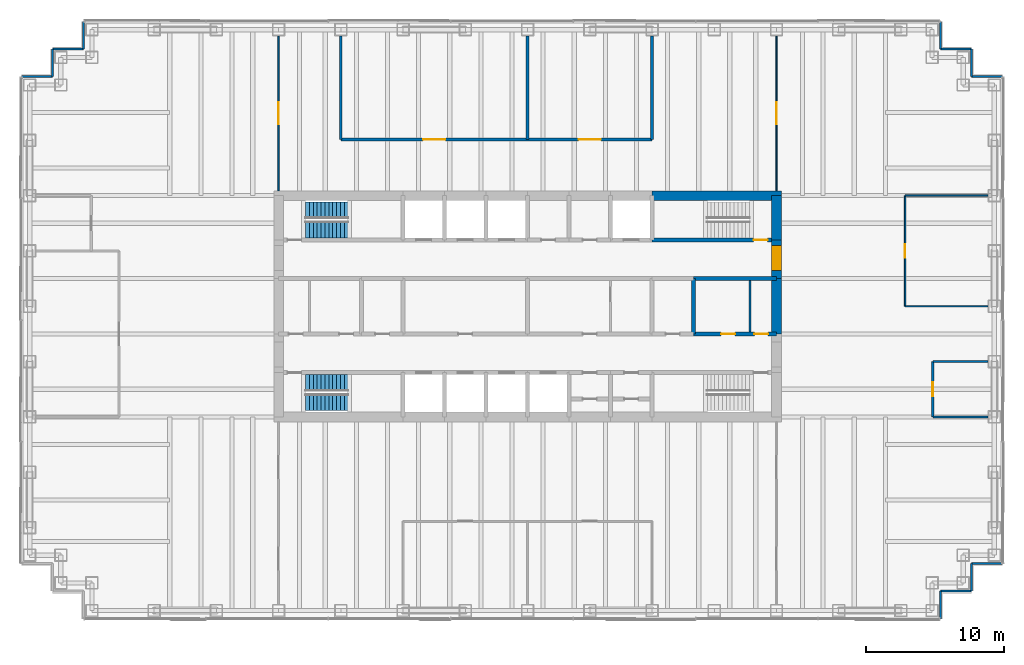
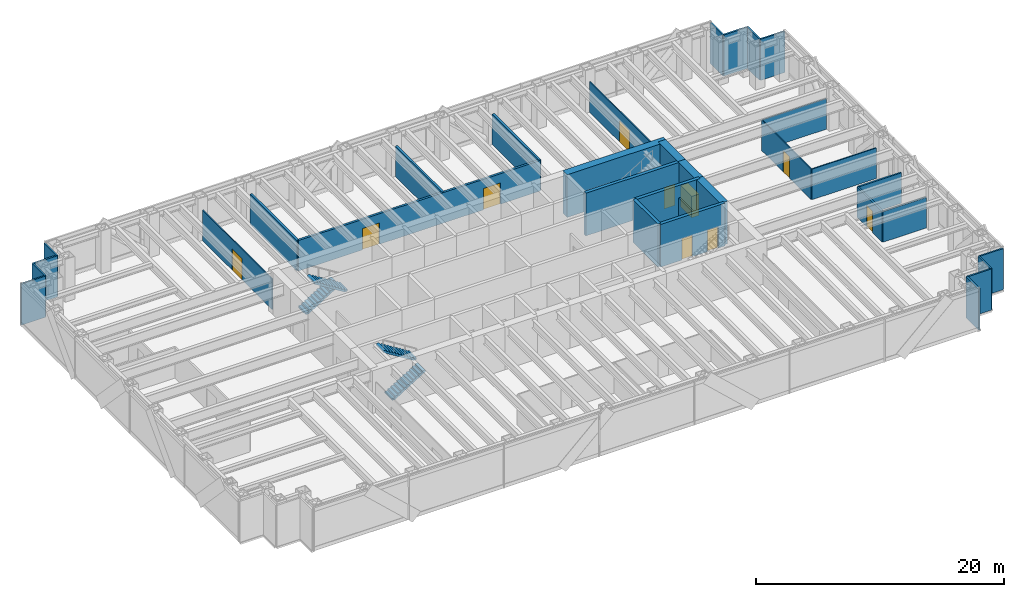
# One storey, part 13 of 15: 33 walls, 10 doors, 4 stair flights, 10 openings, 2 elements without a shape of their own.
"""IFC4 building model written with IfcOpenShell, lengths in metres."""

from ifc_helpers import new_model, si_unit, direction, frame, frame_2d, origin, place, context, subcontext, project, spatial, polyline, rectangle, outline, extrude, material, layer, layer_set, type_object, element, fill, aggregate, save


model = new_model("IFC4")

# Units and contexts
model_context = context("Model", 3, precision=1e-05, world=origin(), true_north=direction((0.0, 1.0)))
body_context = subcontext(model_context, "Body", "Model", "MODEL_VIEW")
ifc_project = project(units=[si_unit("LENGTHUNIT", "METRE"), si_unit("AREAUNIT", "SQUARE_METRE"), si_unit("VOLUMEUNIT", "CUBIC_METRE"), si_unit("PLANEANGLEUNIT", "RADIAN"), si_unit("MASSUNIT", "GRAM", prefix="KILO")], contexts=[model_context])

# Site, building, storey
site_placement = place(None, origin())
site = spatial("IfcSite", under=ifc_project, at=site_placement, CompositionType="ELEMENT")
building_placement = place(site_placement, origin())
building = spatial("IfcBuilding", under=site, at=building_placement, Name="Rheinbord Bourse Tower", CompositionType="ELEMENT")
storey_placement = place(building_placement, frame((0.0, 0.0, 325.699951171875)))
storey = spatial("IfcBuildingStorey", under=building, at=storey_placement, Name="L74", CompositionType="ELEMENT", Elevation=325.699951171875)

# Wall, openings, doors
ifc_material_1 = material(Name="Acoustic gypsum board partition", Category="gypsum board")
ifc_layer_1 = layer(ifc_material_1, 0.199951171875)
ifc_layer_set_1 = layer_set([ifc_layer_1], Name="ACOUSTIC PARTITION 200")
wall_type_1 = type_object("IfcWallType", Name="ACOUSTIC PARTITION 200", PredefinedType="PARTITIONING", material=ifc_layer_set_1)
wall_1_placement = place(storey_placement, frame((22.5, 36.050048828125, 0.0), z_axis=(0.0, 0.0, 1.0), x_axis=(1.0, 0.0, 0.0)))
wall_1 = element("IfcWall", 1, at=wall_1_placement, inside=storey, type_object=wall_type_1, Name="Partition L74-09", PredefinedType="PARTITIONING", context=body_context, shape_type="SweptSolid", body=[
    extrude(rectangle(XDim=22.5, YDim=0.199951171875, at=frame_2d((11.25, 0.0))), origin(), (0.0, 0.0, 1.0), 3.0),
])
opening_1_placement = place(wall_1_placement, frame((5.949951171875, 0.0, 0.0)))
opening_1 = element("IfcOpeningElement", 2, at=opening_1_placement, cuts=wall_1, Name="Opening 74D07", PredefinedType="OPENING", context=body_context, shape_type="SweptSolid", body=[
    extrude(rectangle(XDim=1.60009765625, YDim=2.10009765625, at=frame_2d((0.800048828125, 1.050048828125))), frame((0.0, 0.10986328125, 0.0), z_axis=(0.0, -1.0, 0.0), x_axis=(1.0, 0.0, 0.0)), (0.0, 0.0, 1.0), 0.219970703125),
])
opening_2_placement = place(wall_1_placement, frame((17.199951171875, 0.0, 0.0)))
opening_2 = element("IfcOpeningElement", 3, at=opening_2_placement, cuts=wall_1, Name="Opening 74D08", PredefinedType="OPENING", context=body_context, shape_type="SweptSolid", body=[
    extrude(rectangle(XDim=1.60009765625, YDim=2.10009765625, at=frame_2d((0.800048828125, 1.050048828125))), frame((0.0, 0.10986328125, 0.0), z_axis=(0.0, -1.0, 0.0), x_axis=(1.0, 0.0, 0.0)), (0.0, 0.0, 1.0), 0.219970703125),
])
ifc_material_2 = material(Name="Timber door", Category="wood")
door_type_1 = type_object("IfcDoorType", Name="DOUBLE ROOM DOOR 1600", OperationType="DOUBLE_DOOR_DOUBLE_SWING", PredefinedType="DOOR", material=ifc_material_2)
door_1_placement = place(opening_1_placement, origin())
door_1 = element("IfcDoor", 4, at=door_1_placement, inside=storey, type_object=door_type_1, Name="Executive conference centre door L74", OperationType="SINGLE_SWING_LEFT", OverallHeight=2.10009765625, OverallWidth=1.60009765625, PredefinedType="DOOR", context=body_context, shape_type="SweptSolid", body=[
    extrude(rectangle(XDim=1.60009765625, YDim=2.10009765625, at=frame_2d((0.800048828125, 1.050048828125))), frame((0.0, 0.02490234375, 0.0), z_axis=(0.0, -1.0, 0.0), x_axis=(1.0, 0.0, 0.0)), (0.0, 0.0, 1.0), 0.050048828125),
])
fill(opening_1, door_1)
door_2_placement = place(opening_2_placement, origin())
door_2 = element("IfcDoor", 5, at=door_2_placement, inside=storey, type_object=door_type_1, Name="Conference room door L74", OperationType="SINGLE_SWING_LEFT", OverallHeight=2.10009765625, OverallWidth=1.60009765625, PredefinedType="DOOR", context=body_context, shape_type="SweptSolid", body=[
    extrude(rectangle(XDim=1.60009765625, YDim=2.10009765625, at=frame_2d((0.800048828125, 1.050048828125))), frame((0.0, 0.02490234375, 0.0), z_axis=(0.0, -1.0, 0.0), x_axis=(1.0, 0.0, 0.0)), (0.0, 0.0, 1.0), 0.050048828125),
])
fill(opening_2, door_2)

# Walls
for number, where, z_axis, x_axis, name in (
    (6, (22.5, 36.050048828125, 0.0), (0.0, 0.0, 1.0), (0.0, 1.0, 0.0), "Partition L74-14"),
    (7, (36.0, 36.050048828125, 0.0), (0.0, 0.0, 1.0), (0.0, 1.0, 0.0), "Partition L74-17"),
    (8, (45.0, 36.050048828125, 0.0), (0.0, 0.0, 1.0), (0.0, 1.0, 0.0), "Partition L74-19"),
):
    element("IfcWall", number, at=place(storey_placement, frame(where, z_axis=z_axis, x_axis=x_axis)), inside=storey, type_object=wall_type_1, Name=name, PredefinedType="PARTITIONING", context=body_context, shape_type="SweptSolid", body=[
        extrude(rectangle(XDim=7.5, YDim=0.199951171875, at=frame_2d((3.75, 0.0))), origin(), (0.0, 0.0, 1.0), 3.0),
    ])

# Wall, opening, door
ifc_material_3 = material(Name="Concrete C50/60", Category="concrete")
ifc_layer_2 = layer(ifc_material_3, 0.300048828125)
ifc_layer_set_2 = layer_set([ifc_layer_2], Name="CORE INNER WALL 300")
wall_type_2 = type_object("IfcWallType", Name="CORE INNER WALL 300", PredefinedType="SOLIDWALL", material=ifc_layer_set_2)
wall_2_placement = place(storey_placement, frame((45.0, 28.800048828125, 0.0), z_axis=(0.0, 0.0, 1.0), x_axis=(1.0, 0.0, 0.0)))
wall_2 = element("IfcWall", 9, at=wall_2_placement, inside=storey, type_object=wall_type_2, Name="Core wall B8 L74", PredefinedType="SOLIDWALL", context=body_context, shape_type="SweptSolid", body=[
    extrude(rectangle(XDim=9.0, YDim=0.300048828125, at=frame_2d((4.5, 0.0))), origin(), (0.0, 0.0, 1.0), 4.199951171875),
])
opening_3_placement = place(wall_2_placement, frame((7.35009765625, 0.0, 0.0)))
opening_3 = element("IfcOpeningElement", 10, at=opening_3_placement, cuts=wall_2, Name="Opening 7440", PredefinedType="OPENING", context=body_context, shape_type="SweptSolid", body=[
    extrude(rectangle(XDim=1.0, YDim=2.10009765625, at=frame_2d((0.5, 1.050048828125))), frame((0.0, 0.159912109375, 0.0), z_axis=(0.0, -1.0, 0.0), x_axis=(1.0, 0.0, 0.0)), (0.0, 0.0, 1.0), 0.320068359375),
])
ifc_material_4 = material(Name="Steel door", Category="steel")
door_type_2 = type_object("IfcDoorType", Name="DOOR 1000 EI30", OperationType="SINGLE_SWING_LEFT", PredefinedType="DOOR", material=ifc_material_4)
door_3_placement = place(opening_3_placement, origin())
door_3 = element("IfcDoor", 11, at=door_3_placement, inside=storey, type_object=door_type_2, Name="Stair door ST4 L74", OperationType="SINGLE_SWING_RIGHT", OverallHeight=2.10009765625, OverallWidth=1.0, PredefinedType="DOOR", context=body_context, shape_type="SweptSolid", body=[
    extrude(rectangle(XDim=1.0, YDim=2.10009765625, at=frame_2d((0.5, 1.050048828125))), frame((0.0, 0.02490234375, 0.0), z_axis=(0.0, -1.0, 0.0), x_axis=(1.0, 0.0, 0.0)), (0.0, 0.0, 1.0), 0.050048828125),
])
fill(opening_3, door_3)

# Wall, openings, doors
wall_3_placement = place(storey_placement, frame((48.0, 22.0, 0.0), z_axis=(0.0, 0.0, 1.0), x_axis=(1.0, 0.0, 0.0)))
wall_3 = element("IfcWall", 12, at=wall_3_placement, inside=storey, type_object=wall_type_2, Name="Core wall C6 L74", PredefinedType="SOLIDWALL", context=body_context, shape_type="SweptSolid", body=[
    extrude(rectangle(XDim=6.0, YDim=0.300048828125, at=frame_2d((3.0, 0.0))), origin(), (0.0, 0.0, 1.0), 4.199951171875),
])
opening_4_placement = place(wall_3_placement, frame((2.0, 0.0, 0.0)))
opening_4 = element("IfcOpeningElement", 13, at=opening_4_placement, cuts=wall_3, Name="Opening 74R6", PredefinedType="OPENING", context=body_context, shape_type="SweptSolid", body=[
    extrude(rectangle(XDim=1.0, YDim=2.10009765625, at=frame_2d((0.5, 1.050048828125))), frame((0.0, 0.159912109375, 0.0), z_axis=(0.0, -1.0, 0.0), x_axis=(1.0, 0.0, 0.0)), (0.0, 0.0, 1.0), 0.320068359375),
])
opening_5_placement = place(wall_3_placement, frame((4.39990234375, 0.0, 0.0)))
opening_5 = element("IfcOpeningElement", 14, at=opening_5_placement, cuts=wall_3, Name="Opening 74R10", PredefinedType="OPENING", context=body_context, shape_type="SweptSolid", body=[
    extrude(rectangle(XDim=1.0, YDim=2.10009765625, at=frame_2d((0.5, 1.050048828125))), frame((0.0, 0.159912109375, 0.0), z_axis=(0.0, -1.0, 0.0), x_axis=(1.0, 0.0, 0.0)), (0.0, 0.0, 1.0), 0.320068359375),
])
door_4_placement = place(opening_5_placement, origin())
door_4 = element("IfcDoor", 15, at=door_4_placement, inside=storey, type_object=door_type_2, Name="Cleaner's store door L74", OperationType="SINGLE_SWING_RIGHT", OverallHeight=2.10009765625, OverallWidth=1.0, PredefinedType="DOOR", context=body_context, shape_type="SweptSolid", body=[
    extrude(rectangle(XDim=1.0, YDim=2.10009765625, at=frame_2d((0.5, 1.050048828125))), frame((0.0, 0.02490234375, 0.0), z_axis=(0.0, -1.0, 0.0), x_axis=(1.0, 0.0, 0.0)), (0.0, 0.0, 1.0), 0.050048828125),
])
fill(opening_5, door_4)
ifc_material_5 = material(Name="Timber door", Category="wood")
door_type_3 = type_object("IfcDoorType", Name="DOOR 1000 WC", OperationType="SINGLE_SWING_LEFT", PredefinedType="DOOR", material=ifc_material_5)
door_5_placement = place(opening_4_placement, origin())
door_5 = element("IfcDoor", 16, at=door_5_placement, inside=storey, type_object=door_type_3, Name="WC women door L74", OperationType="SINGLE_SWING_LEFT", OverallHeight=2.10009765625, OverallWidth=1.0, PredefinedType="DOOR", context=body_context, shape_type="SweptSolid", body=[
    extrude(rectangle(XDim=1.0, YDim=2.10009765625, at=frame_2d((0.5, 1.050048828125))), frame((0.0, 0.02490234375, 0.0), z_axis=(0.0, -1.0, 0.0), x_axis=(1.0, 0.0, 0.0)), (0.0, 0.0, 1.0), 0.050048828125),
])
fill(opening_4, door_5)

# Walls
wall_4_placement = place(storey_placement, frame((48.0, 26.0, 0.0), z_axis=(0.0, 0.0, 1.0), x_axis=(1.0, 0.0, 0.0)))
element("IfcWall", 17, at=wall_4_placement, inside=storey, type_object=wall_type_2, Name="Core wall D6 L74", PredefinedType="SOLIDWALL", context=body_context, shape_type="SweptSolid", body=[
    extrude(rectangle(XDim=6.0, YDim=0.300048828125, at=frame_2d((3.0, 0.0))), origin(), (0.0, 0.0, 1.0), 4.199951171875),
])
wall_5_placement = place(storey_placement, frame((48.0, 22.0, 0.0), z_axis=(0.0, 0.0, 1.0), x_axis=(0.0, 1.0, 0.0)))
element("IfcWall", 18, at=wall_5_placement, inside=storey, type_object=wall_type_2, Name="Core wall MX48 L74", PredefinedType="SOLIDWALL", context=body_context, shape_type="SweptSolid", body=[
    extrude(rectangle(XDim=4.0, YDim=0.300048828125, at=frame_2d((2.0, 0.0))), origin(), (0.0, 0.0, 1.0), 4.199951171875),
])
ifc_material_6 = material(Name="Gypsum board fire partition", Category="gypsum board")
ifc_layer_3 = layer(ifc_material_6, 0.14990234375)
ifc_layer_set_3 = layer_set([ifc_layer_3], Name="CORE PARTITION 150 EI30")
wall_type_3 = type_object("IfcWallType", Name="CORE PARTITION 150 EI30", PredefinedType="PARTITIONING", material=ifc_layer_set_3)
wall_6_placement = place(storey_placement, frame((52.074951171875, 22.14990234375, 0.0), z_axis=(0.0, 0.0, 1.0), x_axis=(0.0, 1.0, 0.0)))
element("IfcWall", 19, at=wall_6_placement, inside=storey, type_object=wall_type_3, Name="Core partition L74-3", PredefinedType="PARTITIONING", context=body_context, shape_type="SweptSolid", body=[
    extrude(rectangle(XDim=3.7001953125, YDim=0.14990234375, at=frame_2d((1.85009765625, 0.0))), origin(), (0.0, 0.0, 1.0), 3.0),
])
ifc_material_7 = material(Name="Concrete C50/60", Category="concrete")
ifc_layer_4 = layer(ifc_material_7, 0.699951171875)
ifc_layer_set_4 = layer_set([ifc_layer_4], Name="CORE WALL 700")
wall_type_4 = type_object("IfcWallType", Name="CORE WALL 700", PredefinedType="SHEAR", material=ifc_layer_set_4)
wall_7_placement = place(storey_placement, frame((54.35009765625, 32.0, 0.0), z_axis=(0.0, 0.0, 1.0), x_axis=(-1.0, 0.0, 0.0)))
element("IfcWall", 20, at=wall_7_placement, inside=storey, type_object=wall_type_4, Name="Core wall N1 L74", PredefinedType="SHEAR", context=body_context, shape_type="SweptSolid", body=[
    extrude(rectangle(XDim=9.35009765625, YDim=0.699951171875, at=frame_2d((4.675048828125, 0.0))), origin(), (0.0, 0.0, 1.0), 4.199951171875),
])
wall_8_placement = place(storey_placement, frame((54.0, 22.0, 0.0), z_axis=(0.0, 0.0, 1.0), x_axis=(0.0, 1.0, 0.0)))
element("IfcWall", 21, at=wall_8_placement, inside=storey, type_object=wall_type_4, Name="Core wall E3 L74", PredefinedType="SHEAR", context=body_context, shape_type="SweptSolid", body=[
    extrude(rectangle(XDim=4.0, YDim=0.699951171875, at=frame_2d((2.0, 0.0))), origin(), (0.0, 0.0, 1.0), 4.199951171875),
])

# Wall, opening, door
wall_9_placement = place(storey_placement, frame((54.0, 26.0, 0.0), z_axis=(0.0, 0.0, 1.0), x_axis=(0.0, 1.0, 0.0)))
wall_9 = element("IfcWall", 22, at=wall_9_placement, inside=storey, type_object=wall_type_4, Name="Core wall E4 L74", PredefinedType="SHEAR", context=body_context, shape_type="SweptSolid", body=[
    extrude(rectangle(XDim=2.800048828125, YDim=0.699951171875, at=frame_2d((1.39990234375, 0.0))), origin(), (0.0, 0.0, 1.0), 4.199951171875),
])
opening_6_placement = place(wall_9_placement, frame((0.60009765625, 0.0, 0.0)))
opening_6 = element("IfcOpeningElement", 23, at=opening_6_placement, cuts=wall_9, Name="Opening 74L4", PredefinedType="OPENING", context=body_context, shape_type="SweptSolid", body=[
    extrude(rectangle(XDim=1.800048828125, YDim=2.10009765625, at=frame_2d((0.89990234375, 1.050048828125))), frame((0.0, 0.35986328125, 0.0), z_axis=(0.0, -1.0, 0.0), x_axis=(1.0, 0.0, 0.0)), (0.0, 0.0, 1.0), 0.719970703125),
])
ifc_material_8 = material(Name="Steel door", Category="steel")
door_type_4 = type_object("IfcDoorType", Name="DOOR 1800 EI30 DOUBLE", OperationType="DOUBLE_DOOR_DOUBLE_SWING", PredefinedType="DOOR", material=ifc_material_8)
door_6_placement = place(opening_6_placement, origin())
door_6 = element("IfcDoor", 24, at=door_6_placement, inside=storey, type_object=door_type_4, Name="Lobby door 4 L74", OperationType="SINGLE_SWING_LEFT", OverallHeight=2.10009765625, OverallWidth=1.800048828125, PredefinedType="DOOR", context=body_context, shape_type="SweptSolid", body=[
    extrude(rectangle(XDim=1.800048828125, YDim=2.10009765625, at=frame_2d((0.89990234375, 1.050048828125))), frame((0.0, 0.349609375, 0.0), z_axis=(0.0, -1.0, 0.0), x_axis=(1.0, 0.0, 0.0)), (0.0, 0.0, 1.0), 0.699462890625),
])
fill(opening_6, door_6)

# Walls
wall_10_placement = place(storey_placement, frame((54.0, 28.800048828125, 0.0), z_axis=(0.0, 0.0, 1.0), x_axis=(0.0, 1.0, 0.0)))
element("IfcWall", 25, at=wall_10_placement, inside=storey, type_object=wall_type_4, Name="Core wall E5 L74", PredefinedType="SHEAR", context=body_context, shape_type="SweptSolid", body=[
    extrude(rectangle(XDim=3.199951171875, YDim=0.699951171875, at=frame_2d((1.60009765625, 0.0))), origin(), (0.0, 0.0, 1.0), 4.199951171875),
])
ifc_material_9 = material(Name="Black metal rainscreen panel", Category="aluminium")
ifc_layer_5 = layer(ifc_material_9, 0.14990234375)
ifc_layer_set_5 = layer_set([ifc_layer_5], Name="CORNER PIER CLADDING 150")
wall_type_5 = type_object("IfcWallType", Name="CORNER PIER CLADDING 150", PredefinedType="ELEMENTEDWALL", material=ifc_layer_set_5)
wall_11_placement = place(storey_placement, frame((65.85009765625, 1.39990234375, 0.0), z_axis=(0.0, 0.0, 1.0), x_axis=(0.0, 1.0, 0.0)))
element("IfcWall", 26, at=wall_11_placement, inside=storey, type_object=wall_type_5, Name="Corner pier cladding L74 2", PredefinedType="ELEMENTEDWALL", context=body_context, shape_type="SweptSolid", body=[
    extrude(rectangle(XDim=2.0, YDim=0.14990234375, at=frame_2d((1.0, 0.0))), origin(), (0.0, 0.0, 1.0), 4.0400390625),
])
wall_12_placement = place(storey_placement, frame((65.85009765625, 3.39990234375, 0.0), z_axis=(0.0, 0.0, 1.0), x_axis=(1.0, 0.0, 0.0)))
element("IfcWall", 27, at=wall_12_placement, inside=storey, type_object=wall_type_5, Name="Corner pier cladding L74 3", PredefinedType="ELEMENTEDWALL", context=body_context, shape_type="SweptSolid", body=[
    extrude(rectangle(XDim=2.25, YDim=0.14990234375, at=frame_2d((1.125, 0.0))), origin(), (0.0, 0.0, 1.0), 4.0400390625),
])
wall_13_placement = place(storey_placement, frame((68.10009765625, 3.39990234375, 0.0), z_axis=(0.0, 0.0, 1.0), x_axis=(0.0, 1.0, 0.0)))
element("IfcWall", 28, at=wall_13_placement, inside=storey, type_object=wall_type_5, Name="Corner pier cladding L74 4", PredefinedType="ELEMENTEDWALL", context=body_context, shape_type="SweptSolid", body=[
    extrude(rectangle(XDim=2.0, YDim=0.14990234375, at=frame_2d((1.0, 0.0))), origin(), (0.0, 0.0, 1.0), 4.0400390625),
])
for number, where, z_axis, x_axis, name in (
    (29, (68.10009765625, 5.39990234375, 0.0), (0.0, 0.0, 1.0), (1.0, 0.0, 0.0), "Corner pier cladding L74 5"),
    (30, (70.35009765625, 40.60009765625, 0.0), (0.0, 0.0, 1.0), (-1.0, 0.0, 0.0), "Corner pier cladding L74 7"),
):
    element("IfcWall", number, at=place(storey_placement, frame(where, z_axis=z_axis, x_axis=x_axis)), inside=storey, type_object=wall_type_5, Name=name, PredefinedType="ELEMENTEDWALL", context=body_context, shape_type="SweptSolid", body=[
        extrude(rectangle(XDim=2.25, YDim=0.14990234375, at=frame_2d((1.125, 0.0))), origin(), (0.0, 0.0, 1.0), 4.0400390625),
    ])
wall_14_placement = place(storey_placement, frame((68.10009765625, 40.60009765625, 0.0), z_axis=(0.0, 0.0, 1.0), x_axis=(0.0, 1.0, 0.0)))
element("IfcWall", 31, at=wall_14_placement, inside=storey, type_object=wall_type_5, Name="Corner pier cladding L74 8", PredefinedType="ELEMENTEDWALL", context=body_context, shape_type="SweptSolid", body=[
    extrude(rectangle(XDim=2.0, YDim=0.14990234375, at=frame_2d((1.0, 0.0))), origin(), (0.0, 0.0, 1.0), 4.0400390625),
])
wall_15_placement = place(storey_placement, frame((68.10009765625, 42.60009765625, 0.0), z_axis=(0.0, 0.0, 1.0), x_axis=(-1.0, 0.0, 0.0)))
element("IfcWall", 32, at=wall_15_placement, inside=storey, type_object=wall_type_5, Name="Corner pier cladding L74 9", PredefinedType="ELEMENTEDWALL", context=body_context, shape_type="SweptSolid", body=[
    extrude(rectangle(XDim=2.25, YDim=0.14990234375, at=frame_2d((1.125, 0.0))), origin(), (0.0, 0.0, 1.0), 4.0400390625),
])
for number, where, z_axis, x_axis, name in (
    (33, (65.85009765625, 42.60009765625, 0.0), (0.0, 0.0, 1.0), (0.0, 1.0, 0.0), "Corner pier cladding L74 10"),
    (34, (3.89990234375, 44.60009765625, 0.0), (0.0, 0.0, 1.0), (0.0, -1.0, 0.0), "Corner pier cladding L74 12"),
):
    element("IfcWall", number, at=place(storey_placement, frame(where, z_axis=z_axis, x_axis=x_axis)), inside=storey, type_object=wall_type_5, Name=name, PredefinedType="ELEMENTEDWALL", context=body_context, shape_type="SweptSolid", body=[
        extrude(rectangle(XDim=2.0, YDim=0.14990234375, at=frame_2d((1.0, 0.0))), origin(), (0.0, 0.0, 1.0), 4.0400390625),
    ])
wall_16_placement = place(storey_placement, frame((3.89990234375, 42.60009765625, 0.0), z_axis=(0.0, 0.0, 1.0), x_axis=(-1.0, 0.0, 0.0)))
element("IfcWall", 35, at=wall_16_placement, inside=storey, type_object=wall_type_5, Name="Corner pier cladding L74 13", PredefinedType="ELEMENTEDWALL", context=body_context, shape_type="SweptSolid", body=[
    extrude(rectangle(XDim=2.25, YDim=0.14990234375, at=frame_2d((1.125, 0.0))), origin(), (0.0, 0.0, 1.0), 4.0400390625),
])
wall_17_placement = place(storey_placement, frame((1.64990234375, 42.60009765625, 0.0), z_axis=(0.0, 0.0, 1.0), x_axis=(0.0, -1.0, 0.0)))
element("IfcWall", 36, at=wall_17_placement, inside=storey, type_object=wall_type_5, Name="Corner pier cladding L74 14", PredefinedType="ELEMENTEDWALL", context=body_context, shape_type="SweptSolid", body=[
    extrude(rectangle(XDim=2.0, YDim=0.14990234375, at=frame_2d((1.0, 0.0))), origin(), (0.0, 0.0, 1.0), 4.0400390625),
])
wall_18_placement = place(storey_placement, frame((1.64990234375, 40.60009765625, 0.0), z_axis=(0.0, 0.0, 1.0), x_axis=(-1.0, 0.0, 0.0)))
element("IfcWall", 37, at=wall_18_placement, inside=storey, type_object=wall_type_5, Name="Corner pier cladding L74 15", PredefinedType="ELEMENTEDWALL", context=body_context, shape_type="SweptSolid", body=[
    extrude(rectangle(XDim=2.25, YDim=0.14990234375, at=frame_2d((1.125, 0.0))), origin(), (0.0, 0.0, 1.0), 4.0400390625),
])
ifc_material_10 = material(Name="Toughened laminated glass partition", Category="glass")
ifc_layer_6 = layer(ifc_material_10, 0.10009765625)
ifc_layer_set_6 = layer_set([ifc_layer_6], Name="GLAZED PARTITION 100")
wall_type_6 = type_object("IfcWallType", Name="GLAZED PARTITION 100", PredefinedType="PARTITIONING", material=ifc_layer_set_6)
for number, where, z_axis, x_axis, name in (
    (38, (63.300048828125, 24.0, 0.0), (0.0, 0.0, 1.0), (1.0, 0.0, 0.0), "Partition L74-05"),
    (39, (63.300048828125, 32.0, 0.0), (0.0, 0.0, 1.0), (1.0, 0.0, 0.0), "Partition L74-08"),
):
    element("IfcWall", number, at=place(storey_placement, frame(where, z_axis=z_axis, x_axis=x_axis)), inside=storey, type_object=wall_type_6, Name=name, PredefinedType="PARTITIONING", context=body_context, shape_type="SweptSolid", body=[
        extrude(rectangle(XDim=6.0, YDim=0.10009765625, at=frame_2d((3.0, 0.0))), origin(), (0.0, 0.0, 1.0), 3.0),
    ])

# Wall, opening, door
wall_19_placement = place(storey_placement, frame((18.0, 32.35009765625, 0.0), z_axis=(0.0, 0.0, 1.0), x_axis=(0.0, 1.0, 0.0)))
wall_19 = element("IfcWall", 40, at=wall_19_placement, inside=storey, type_object=wall_type_6, Name="Partition L74-13", PredefinedType="PARTITIONING", context=body_context, shape_type="SweptSolid", body=[
    extrude(rectangle(XDim=11.199951171875, YDim=0.10009765625, at=frame_2d((5.60009765625, 0.0))), origin(), (0.0, 0.0, 1.0), 3.0),
])
opening_7_placement = place(wall_19_placement, frame((4.800048828125, 0.0, 0.0)))
opening_7 = element("IfcOpeningElement", 41, at=opening_7_placement, cuts=wall_19, Name="Opening 74D11", PredefinedType="OPENING", context=body_context, shape_type="SweptSolid", body=[
    extrude(rectangle(XDim=1.60009765625, YDim=2.10009765625, at=frame_2d((0.800048828125, 1.050048828125))), frame((0.0, 0.06005859375, 0.0), z_axis=(0.0, -1.0, 0.0), x_axis=(1.0, 0.0, 0.0)), (0.0, 0.0, 1.0), 0.1201171875),
])
door_7_placement = place(opening_7_placement, origin())
door_7 = element("IfcDoor", 42, at=door_7_placement, inside=storey, type_object=door_type_1, Name="Open area door L74", OperationType="SINGLE_SWING_LEFT", OverallHeight=2.10009765625, OverallWidth=1.60009765625, PredefinedType="DOOR", context=body_context, shape_type="SweptSolid", body=[
    extrude(rectangle(XDim=1.60009765625, YDim=2.10009765625, at=frame_2d((0.800048828125, 1.050048828125))), frame((0.0, 0.02490234375, 0.0), z_axis=(0.0, -1.0, 0.0), x_axis=(1.0, 0.0, 0.0)), (0.0, 0.0, 1.0), 0.050048828125),
])
fill(opening_7, door_7)

wall_20_placement = place(storey_placement, frame((54.0, 32.35009765625, 0.0), z_axis=(0.0, 0.0, 1.0), x_axis=(0.0, 1.0, 0.0)))
wall_20 = element("IfcWall", 43, at=wall_20_placement, inside=storey, type_object=wall_type_6, Name="Partition L74-21", PredefinedType="PARTITIONING", context=body_context, shape_type="SweptSolid", body=[
    extrude(rectangle(XDim=11.199951171875, YDim=0.10009765625, at=frame_2d((5.60009765625, 0.0))), origin(), (0.0, 0.0, 1.0), 3.0),
])
opening_8_placement = place(wall_20_placement, frame((4.800048828125, 0.0, 0.0)))
opening_8 = element("IfcOpeningElement", 44, at=opening_8_placement, cuts=wall_20, Name="Opening 74D14", PredefinedType="OPENING", context=body_context, shape_type="SweptSolid", body=[
    extrude(rectangle(XDim=1.60009765625, YDim=2.10009765625, at=frame_2d((0.800048828125, 1.050048828125))), frame((0.0, 0.06005859375, 0.0), z_axis=(0.0, -1.0, 0.0), x_axis=(1.0, 0.0, 0.0)), (0.0, 0.0, 1.0), 0.1201171875),
])
door_8_placement = place(opening_8_placement, origin())
door_8 = element("IfcDoor", 45, at=door_8_placement, inside=storey, type_object=door_type_1, Name="Open area door L74", OperationType="SINGLE_SWING_LEFT", OverallHeight=2.10009765625, OverallWidth=1.60009765625, PredefinedType="DOOR", context=body_context, shape_type="SweptSolid", body=[
    extrude(rectangle(XDim=1.60009765625, YDim=2.10009765625, at=frame_2d((0.800048828125, 1.050048828125))), frame((0.0, 0.02490234375, 0.0), z_axis=(0.0, -1.0, 0.0), x_axis=(1.0, 0.0, 0.0)), (0.0, 0.0, 1.0), 0.050048828125),
])
fill(opening_8, door_8)

wall_21_placement = place(storey_placement, frame((63.300048828125, 24.0, 0.0), z_axis=(0.0, 0.0, 1.0), x_axis=(0.0, 1.0, 0.0)))
wall_21 = element("IfcWall", 46, at=wall_21_placement, inside=storey, type_object=wall_type_6, Name="Partition L74-22", PredefinedType="PARTITIONING", context=body_context, shape_type="SweptSolid", body=[
    extrude(rectangle(XDim=8.0, YDim=0.10009765625, at=frame_2d((4.0, 0.0))), origin(), (0.0, 0.0, 1.0), 3.0),
])
opening_9_placement = place(wall_21_placement, frame((3.5, 0.0, 0.0)))
opening_9 = element("IfcOpeningElement", 47, at=opening_9_placement, cuts=wall_21, Name="Opening 74D05", PredefinedType="OPENING", context=body_context, shape_type="SweptSolid", body=[
    extrude(rectangle(XDim=1.0, YDim=2.10009765625, at=frame_2d((0.5, 1.050048828125))), frame((0.0, 0.06005859375, 0.0), z_axis=(0.0, -1.0, 0.0), x_axis=(1.0, 0.0, 0.0)), (0.0, 0.0, 1.0), 0.1201171875),
])
ifc_material_11 = material(Name="Timber door", Category="wood")
door_type_5 = type_object("IfcDoorType", Name="ROOM DOOR 1000", OperationType="SINGLE_SWING_LEFT", PredefinedType="DOOR", material=ifc_material_11)
door_9_placement = place(opening_9_placement, origin())
door_9 = element("IfcDoor", 48, at=door_9_placement, inside=storey, type_object=door_type_5, Name="Delegate office door L74", OperationType="SINGLE_SWING_LEFT", OverallHeight=2.10009765625, OverallWidth=1.0, PredefinedType="DOOR", context=body_context, shape_type="SweptSolid", body=[
    extrude(rectangle(XDim=1.0, YDim=2.10009765625, at=frame_2d((0.5, 1.050048828125))), frame((0.0, 0.02490234375, 0.0), z_axis=(0.0, -1.0, 0.0), x_axis=(1.0, 0.0, 0.0)), (0.0, 0.0, 1.0), 0.050048828125),
])
fill(opening_9, door_9)

# Walls
ifc_material_12 = material(Name="Gypsum board partition", Category="gypsum board")
ifc_layer_7 = layer(ifc_material_12, 0.14990234375)
ifc_layer_set_7 = layer_set([ifc_layer_7], Name="PARTITION 150")
wall_type_7 = type_object("IfcWallType", Name="PARTITION 150", PredefinedType="PARTITIONING", material=ifc_layer_set_7)
for number, where, z_axis, x_axis, name in (
    (49, (65.300048828125, 16.0, 0.0), (0.0, 0.0, 1.0), (1.0, 0.0, 0.0), "Partition L74-03"),
    (50, (65.300048828125, 20.0, 0.0), (0.0, 0.0, 1.0), (1.0, 0.0, 0.0), "Partition L74-04"),
):
    element("IfcWall", number, at=place(storey_placement, frame(where, z_axis=z_axis, x_axis=x_axis)), inside=storey, type_object=wall_type_7, Name=name, PredefinedType="PARTITIONING", context=body_context, shape_type="SweptSolid", body=[
        extrude(rectangle(XDim=4.0, YDim=0.14990234375, at=frame_2d((2.0, 0.0))), origin(), (0.0, 0.0, 1.0), 3.0),
    ])

# Wall, opening, door
wall_22_placement = place(storey_placement, frame((65.300048828125, 16.0, 0.0), z_axis=(0.0, 0.0, 1.0), x_axis=(0.0, 1.0, 0.0)))
wall_22 = element("IfcWall", 51, at=wall_22_placement, inside=storey, type_object=wall_type_7, Name="Partition L74-23", PredefinedType="PARTITIONING", context=body_context, shape_type="SweptSolid", body=[
    extrude(rectangle(XDim=4.0, YDim=0.14990234375, at=frame_2d((2.0, 0.0))), origin(), (0.0, 0.0, 1.0), 3.0),
])
opening_10_placement = place(wall_22_placement, frame((1.5, 0.0, 0.0)))
opening_10 = element("IfcOpeningElement", 52, at=opening_10_placement, cuts=wall_22, Name="Opening 74D03", PredefinedType="OPENING", context=body_context, shape_type="SweptSolid", body=[
    extrude(rectangle(XDim=1.0, YDim=2.10009765625, at=frame_2d((0.5, 1.050048828125))), frame((0.0, 0.0849609375, 0.0), z_axis=(0.0, -1.0, 0.0), x_axis=(1.0, 0.0, 0.0)), (0.0, 0.0, 1.0), 0.169921875),
])
door_10_placement = place(opening_10_placement, origin())
door_10 = element("IfcDoor", 53, at=door_10_placement, inside=storey, type_object=door_type_5, Name="Cloakroom door L74", OperationType="SINGLE_SWING_LEFT", OverallHeight=2.10009765625, OverallWidth=1.0, PredefinedType="DOOR", context=body_context, shape_type="SweptSolid", body=[
    extrude(rectangle(XDim=1.0, YDim=2.10009765625, at=frame_2d((0.5, 1.050048828125))), frame((0.0, 0.02490234375, 0.0), z_axis=(0.0, -1.0, 0.0), x_axis=(1.0, 0.0, 0.0)), (0.0, 0.0, 1.0), 0.050048828125),
])
fill(opening_10, door_10)

# Stair, stair flights
ifc_material_13 = material(Name="Concrete C30/37", Category="concrete")
stair_type = type_object("IfcStairType", Name="CORE STAIR HALF TURN 4200", PredefinedType="HALF_TURN_STAIR", material=ifc_material_13)
stair_1_placement = place(storey_placement, origin())
stair_1 = element("IfcStair", 54, at=stair_1_placement, inside=storey, type_object=stair_type, Name="Stair ST1 L74, type CS6", PredefinedType="HALF_TURN_STAIR")
ifc_material_14 = material(Name="Concrete C30/37", Category="concrete")
stair_flight_type = type_object("IfcStairFlightType", Name="CORE STAIR FLIGHT 1200, 12 RISERS", PredefinedType="STRAIGHT", material=ifc_material_14)
stair_flight_1_placement = place(storey_placement, frame((19.949951171875, 17.050048828125, 0.0), z_axis=(0.0, 0.0, 1.0), x_axis=(1.0, 0.0, 0.0)))
stair_flight_1 = element("IfcStairFlight", 55, at=stair_flight_1_placement, type_object=stair_flight_type, Name="STAIR L74 ST1 F1", NumberOfRisers=12, NumberOfTreads=11, PredefinedType="STRAIGHT", RiserHeight=0.175, TreadLength=0.28, context=body_context, shape_type="SweptSolid", body=[
    extrude(outline(polyline([(0.0, 0.0), (0.0, 0.175048828125), (0.280029296875, 0.175048828125), (0.280029296875, 0.35009765625), (0.56005859375, 0.35009765625), (0.56005859375, 0.52490234375), (0.840087890625, 0.52490234375), (0.840087890625, 0.699951171875), (1.1201171875, 0.699951171875), (1.1201171875, 0.875), (1.39990234375, 0.875), (1.39990234375, 1.050048828125), (1.679931640625, 1.050048828125), (1.679931640625, 1.22509765625), (1.9599609375, 1.22509765625), (1.9599609375, 1.39990234375), (2.239990234375, 1.39990234375), (2.239990234375, 1.574951171875), (2.52001953125, 1.574951171875), (2.52001953125, 1.75), (2.800048828125, 1.75), (2.800048828125, 1.925048828125), (3.080078125, 1.925048828125), (3.080078125, 2.10009765625), (3.080078125, 1.748291015625), (0.28271484375, 0.0), (0.0, 0.0)])), frame((0.0, 0.60009765625, 0.0), z_axis=(0.0, -1.0, 0.0), x_axis=(1.0, 0.0, 0.0)), (0.0, 0.0, 1.0), 1.199951171875),
])
stair_flight_2_placement = place(storey_placement, frame((23.030029296875, 18.449951171875, 2.10009765625), z_axis=(0.0, 0.0, 1.0), x_axis=(-1.0, 0.0, 0.0)))
stair_flight_2 = element("IfcStairFlight", 56, at=stair_flight_2_placement, type_object=stair_flight_type, Name="STAIR L74 ST1 F2", NumberOfRisers=12, NumberOfTreads=11, PredefinedType="STRAIGHT", RiserHeight=0.175, TreadLength=0.28, context=body_context, shape_type="SweptSolid", body=[
    extrude(outline(polyline([(0.0, 0.0), (0.0, 0.175048828125), (0.280029296875, 0.175048828125), (0.280029296875, 0.35009765625), (0.56005859375, 0.35009765625), (0.56005859375, 0.52490234375), (0.840087890625, 0.52490234375), (0.840087890625, 0.699951171875), (1.1201171875, 0.699951171875), (1.1201171875, 0.875), (1.39990234375, 0.875), (1.39990234375, 1.050048828125), (1.679931640625, 1.050048828125), (1.679931640625, 1.22509765625), (1.9599609375, 1.22509765625), (1.9599609375, 1.39990234375), (2.239990234375, 1.39990234375), (2.239990234375, 1.574951171875), (2.52001953125, 1.574951171875), (2.52001953125, 1.75), (2.800048828125, 1.75), (2.800048828125, 1.925048828125), (3.080078125, 1.925048828125), (3.080078125, 2.10009765625), (3.080078125, 1.748291015625), (0.28271484375, 0.0), (0.0, 0.0)])), frame((0.0, 0.60009765625, 0.0), z_axis=(0.0, -1.0, 0.0), x_axis=(1.0, 0.0, 0.0)), (0.0, 0.0, 1.0), 1.199951171875),
])
aggregate(stair_1, [stair_flight_1, stair_flight_2])

stair_2_placement = place(storey_placement, origin())
stair_2 = element("IfcStair", 57, at=stair_2_placement, inside=storey, type_object=stair_type, Name="Stair ST2 L74, type CS6", PredefinedType="HALF_TURN_STAIR")
stair_flight_3_placement = place(storey_placement, frame((19.949951171875, 30.949951171875, 0.0), z_axis=(0.0, 0.0, 1.0), x_axis=(1.0, 0.0, 0.0)))
stair_flight_3 = element("IfcStairFlight", 58, at=stair_flight_3_placement, type_object=stair_flight_type, Name="STAIR L74 ST2 F1", NumberOfRisers=12, NumberOfTreads=11, PredefinedType="STRAIGHT", RiserHeight=0.175, TreadLength=0.28, context=body_context, shape_type="SweptSolid", body=[
    extrude(outline(polyline([(0.0, 0.0), (0.0, 0.175048828125), (0.280029296875, 0.175048828125), (0.280029296875, 0.35009765625), (0.56005859375, 0.35009765625), (0.56005859375, 0.52490234375), (0.840087890625, 0.52490234375), (0.840087890625, 0.699951171875), (1.1201171875, 0.699951171875), (1.1201171875, 0.875), (1.39990234375, 0.875), (1.39990234375, 1.050048828125), (1.679931640625, 1.050048828125), (1.679931640625, 1.22509765625), (1.9599609375, 1.22509765625), (1.9599609375, 1.39990234375), (2.239990234375, 1.39990234375), (2.239990234375, 1.574951171875), (2.52001953125, 1.574951171875), (2.52001953125, 1.75), (2.800048828125, 1.75), (2.800048828125, 1.925048828125), (3.080078125, 1.925048828125), (3.080078125, 2.10009765625), (3.080078125, 1.748291015625), (0.28271484375, 0.0), (0.0, 0.0)])), frame((0.0, 0.60009765625, 0.0), z_axis=(0.0, -1.0, 0.0), x_axis=(1.0, 0.0, 0.0)), (0.0, 0.0, 1.0), 1.199951171875),
])
stair_flight_4_placement = place(storey_placement, frame((23.030029296875, 29.550048828125, 2.10009765625), z_axis=(0.0, 0.0, 1.0), x_axis=(-1.0, 0.0, 0.0)))
stair_flight_4 = element("IfcStairFlight", 59, at=stair_flight_4_placement, type_object=stair_flight_type, Name="STAIR L74 ST2 F2", NumberOfRisers=12, NumberOfTreads=11, PredefinedType="STRAIGHT", RiserHeight=0.175, TreadLength=0.28, context=body_context, shape_type="SweptSolid", body=[
    extrude(outline(polyline([(0.0, 0.0), (0.0, 0.175048828125), (0.280029296875, 0.175048828125), (0.280029296875, 0.35009765625), (0.56005859375, 0.35009765625), (0.56005859375, 0.52490234375), (0.840087890625, 0.52490234375), (0.840087890625, 0.699951171875), (1.1201171875, 0.699951171875), (1.1201171875, 0.875), (1.39990234375, 0.875), (1.39990234375, 1.050048828125), (1.679931640625, 1.050048828125), (1.679931640625, 1.22509765625), (1.9599609375, 1.22509765625), (1.9599609375, 1.39990234375), (2.239990234375, 1.39990234375), (2.239990234375, 1.574951171875), (2.52001953125, 1.574951171875), (2.52001953125, 1.75), (2.800048828125, 1.75), (2.800048828125, 1.925048828125), (3.080078125, 1.925048828125), (3.080078125, 2.10009765625), (3.080078125, 1.748291015625), (0.28271484375, 0.0), (0.0, 0.0)])), frame((0.0, 0.60009765625, 0.0), z_axis=(0.0, -1.0, 0.0), x_axis=(1.0, 0.0, 0.0)), (0.0, 0.0, 1.0), 1.199951171875),
])
aggregate(stair_2, [stair_flight_3, stair_flight_4])

save(model, "model.ifc")
